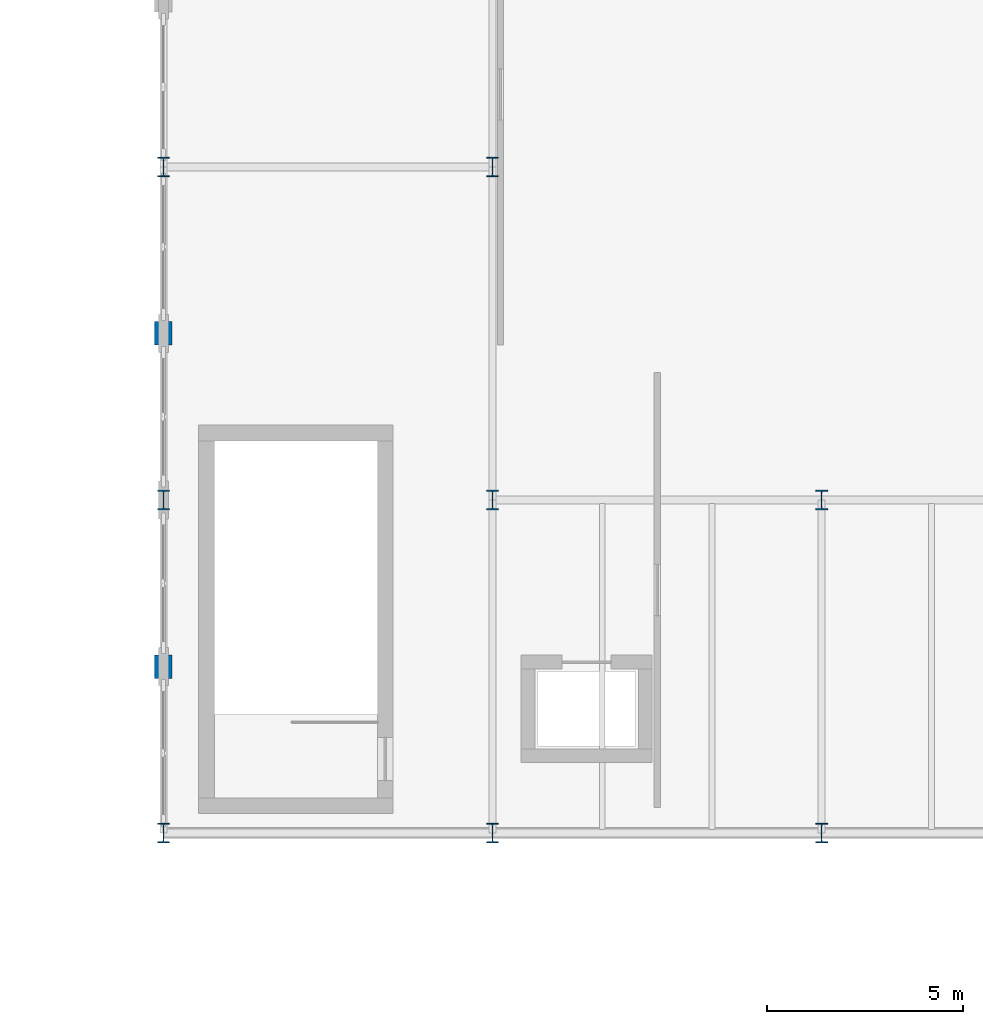
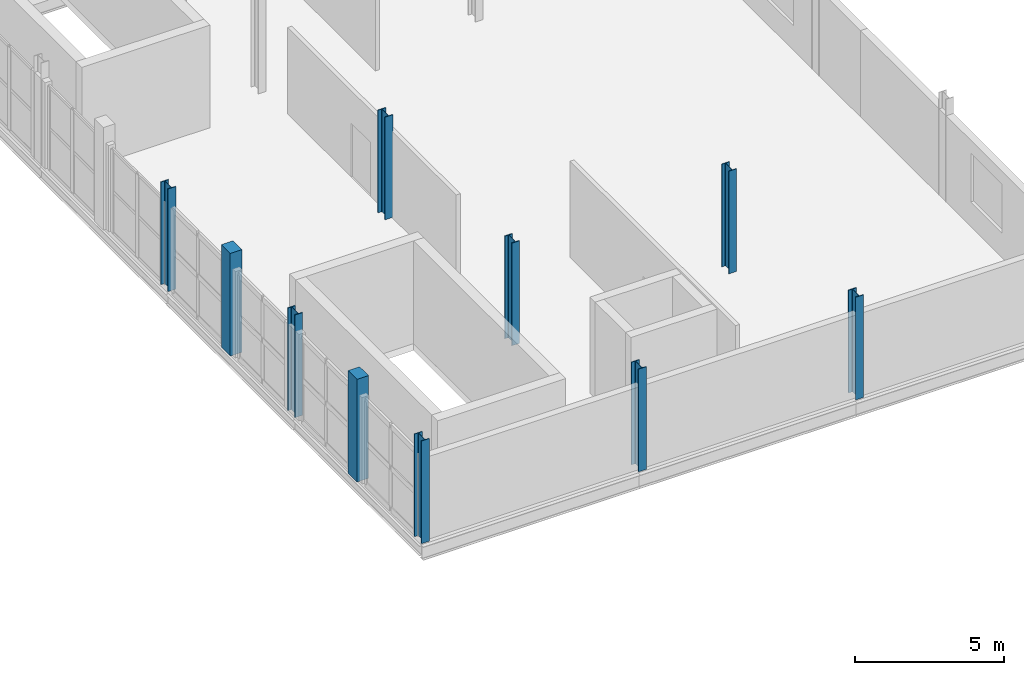
# One storey, part 2 of 45: 10 columns.
"""IFC4 building model written with IfcOpenShell, lengths in metres."""

from ifc_helpers import new_model, si_unit, direction, frame, origin, origin_2d, place, context, subcontext, project, spatial, rectangle, i_section, extrude, material, material_profile, profile_set, type_object, element, save


model = new_model("IFC4")

# Units and contexts
model_context = context("Model", 3, precision=1e-05, world=origin(), true_north=direction((0.0, 1.0)))
body_context = subcontext(model_context, "Body", "Model", "MODEL_VIEW")
ifc_project = project(units=[si_unit("LENGTHUNIT", "METRE"), si_unit("AREAUNIT", "SQUARE_METRE"), si_unit("VOLUMEUNIT", "CUBIC_METRE"), si_unit("PLANEANGLEUNIT", "RADIAN"), si_unit("MASSUNIT", "GRAM", prefix="KILO")], contexts=[model_context])

# Site, building, storey
site_placement = place(None, origin())
site = spatial("IfcSite", under=ifc_project, at=site_placement, CompositionType="ELEMENT")
building_placement = place(site_placement, origin())
building = spatial("IfcBuilding", under=site, at=building_placement, Name="Sefraquen Railside Congress Hotel", CompositionType="ELEMENT")
storey_placement = place(building_placement, frame((0.0, 0.0, 20.39990234375)))
storey = spatial("IfcBuildingStorey", under=building, at=storey_placement, Name="L04", CompositionType="ELEMENT", Elevation=20.39990234375)

# Columns
ifc_material_1 = material(Name="Steel S355JR", Category="steel")
ifc_material_profile_1 = material_profile(ifc_material_1, i_section(OverallWidth=0.300048828125, OverallDepth=0.5, WebThickness=0.014404296875, FlangeThickness=0.028076171875, FilletRadius=0.027099609375, at=origin_2d()), Name="HEB 500")
ifc_profile_set_1 = profile_set([ifc_material_profile_1], Name="Steel S355JR")
column_type_1 = type_object("IfcColumnType", Name="TC-HEB-500", PredefinedType="COLUMN", material=ifc_profile_set_1)
for number, where, z_axis, x_axis, name in (
    (1, (103.199951171875, 54.0, 0.0), (0.0, 0.0, 1.0), (1.0, 0.0, 0.0), "Structural column 14-G L04"),
    (2, (103.199951171875, 62.5, 0.0), (0.0, 0.0, 1.0), (1.0, 0.0, 0.0), "Structural column 14-H L04"),
    (3, (103.199951171875, 71.0, 0.0), (0.0, 0.0, 1.0), (1.0, 0.0, 0.0), "Structural column 14-J L04"),
    (4, (111.60009765625, 54.0, 0.0), (0.0, 0.0, 1.0), (1.0, 0.0, 0.0), "Structural column 15-G L04"),
    (5, (111.60009765625, 62.5, 0.0), (0.0, 0.0, 1.0), (1.0, 0.0, 0.0), "Structural column 15-H L04"),
    (6, (111.60009765625, 71.0, 0.0), (0.0, 0.0, 1.0), (1.0, 0.0, 0.0), "Structural column 15-J L04"),
    (7, (120.0, 54.0, 0.0), (0.0, 0.0, 1.0), (1.0, 0.0, 0.0), "Structural column 16-G L04"),
    (8, (120.0, 62.5, 0.0), (0.0, 0.0, 1.0), (1.0, 0.0, 0.0), "Structural column 16-H L04"),
):
    element("IfcColumn", number, at=place(storey_placement, frame(where, z_axis=z_axis, x_axis=x_axis)), inside=storey, type_object=column_type_1, Name=name, PredefinedType="COLUMN", context=body_context, shape_type="SweptSolid", body=[
        extrude(i_section(OverallWidth=0.300048828125, OverallDepth=0.5, WebThickness=0.014404296875, FlangeThickness=0.028076171875, FilletRadius=0.027099609375, at=origin_2d()), origin(), (0.0, 0.0, 1.0), 4.2001953125),
    ])
ifc_material_2 = material(Name="Concrete C50/60", Category="concrete")
ifc_material_profile_2 = material_profile(ifc_material_2, rectangle(XDim=0.449951171875, YDim=0.60009765625, at=origin_2d()), Name="RC 600x450")
ifc_profile_set_2 = profile_set([ifc_material_profile_2], Name="Concrete C50/60")
column_type_2 = type_object("IfcColumnType", Name="TC-PIL-600", PredefinedType="PILASTER", material=ifc_profile_set_2)
for number, where, z_axis, x_axis, name in (
    (9, (103.199951171875, 58.25, 0.0), (0.0, 0.0, 1.0), (1.0, 0.0, 0.0), "Courtyard limestone pilaster CPIL-E1 L04"),
    (10, (103.199951171875, 66.75, 0.0), (0.0, 0.0, 1.0), (1.0, 0.0, 0.0), "Courtyard limestone pilaster CPIL-E2 L04"),
):
    element("IfcColumn", number, at=place(storey_placement, frame(where, z_axis=z_axis, x_axis=x_axis)), inside=storey, type_object=column_type_2, Name=name, PredefinedType="PILASTER", context=body_context, shape_type="SweptSolid", body=[
        extrude(rectangle(XDim=0.449951171875, YDim=0.60009765625, at=origin_2d()), origin(), (0.0, 0.0, 1.0), 4.2001953125),
    ])

save(model, "model.ifc")
